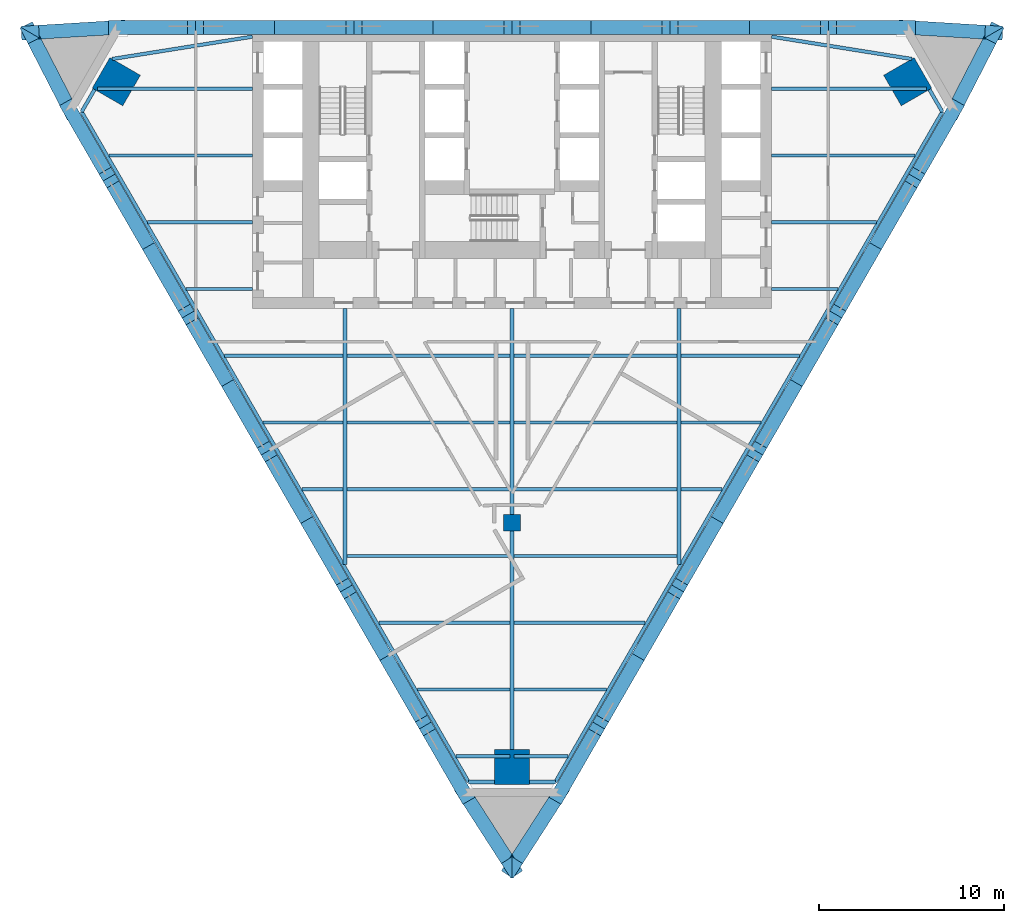
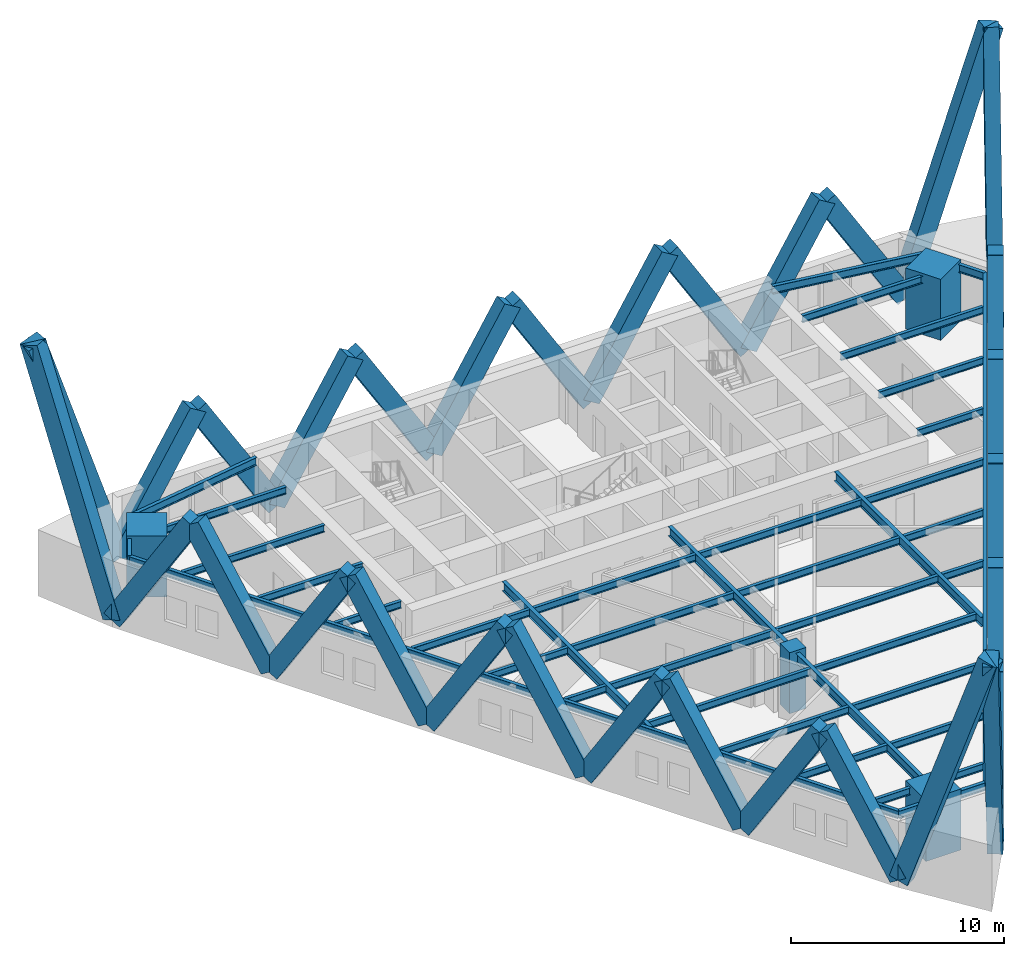
# One storey, part 1 of 7: 40 beams, 36 members, 4 columns.
"""IFC4 building model written with IfcOpenShell, lengths in metres."""

from ifc_helpers import new_model, si_unit, direction, frame, origin, origin_2d, place, context, subcontext, project, spatial, rectangle, i_section, extrude, material, material_profile, profile_set, type_object, element, save


model = new_model("IFC4")

# Units and contexts
model_context = context("Model", 3, precision=1e-05, world=origin(), true_north=direction((0.0, 1.0)))
body_context = subcontext(model_context, "Body", "Model", "MODEL_VIEW")
ifc_project = project(units=[si_unit("LENGTHUNIT", "METRE"), si_unit("AREAUNIT", "SQUARE_METRE"), si_unit("VOLUMEUNIT", "CUBIC_METRE"), si_unit("PLANEANGLEUNIT", "RADIAN"), si_unit("MASSUNIT", "GRAM", prefix="KILO")], contexts=[model_context])

# Site, building, storey
site_placement = place(None, origin())
site = spatial("IfcSite", under=ifc_project, at=site_placement, CompositionType="ELEMENT")
building_placement = place(site_placement, origin())
building = spatial("IfcBuilding", under=site, at=building_placement, Name="Aloe Facet Convention Tower", CompositionType="ELEMENT")
storey_placement = place(building_placement, frame((0.0, 0.0, 81.800048828125)))
storey = spatial("IfcBuildingStorey", under=building, at=storey_placement, Name="L19", CompositionType="ELEMENT", Elevation=81.800048828125)

# Columns
ifc_material_1 = material(Name="Concrete C70/85", Category="concrete")
ifc_material_profile_1 = material_profile(ifc_material_1, rectangle(XDim=0.89990234375, YDim=0.89990234375, at=origin_2d()), Name="SF-GC-Z2")
ifc_profile_set_1 = profile_set([ifc_material_profile_1], Name="Concrete C70/85")
column_type_1 = type_object("IfcColumnType", Name="SF-GC-Z2", PredefinedType="COLUMN", material=ifc_profile_set_1)
column_placement = place(storey_placement, frame((80.0, 108.0, 0.0), z_axis=(0.0, 0.0, 1.0), x_axis=(1.0, 0.0, 0.0)))
element("IfcColumn", 1, at=column_placement, inside=storey, type_object=column_type_1, Name="Gravity column GC-Z2-9D", PredefinedType="COLUMN", context=body_context, shape_type="SweptSolid", body=[
    extrude(rectangle(XDim=0.89990234375, YDim=0.89990234375, at=origin_2d()), origin(), (0.0, 0.0, 1.0), 3.5),
])
ifc_material_2 = material(Name="Concrete C80/95", Category="concrete")
ifc_material_profile_2 = material_profile(ifc_material_2, rectangle(XDim=1.89990234375, YDim=1.89990234375, at=origin_2d()), Name="STW-MC-Z2")
ifc_profile_set_2 = profile_set([ifc_material_profile_2], Name="Concrete C80/95")
column_type_2 = type_object("IfcColumnType", Name="STW-MC-Z2", PredefinedType="COLUMN", material=ifc_profile_set_2)
for number, where, z_axis, x_axis, name in (
    (2, (101.3359375, 131.775146484375, 0.0), (0.0, 0.0, 1.0), (-0.5, 0.866025403784, 0.0), "Mega-column MC-NE-L19"),
    (3, (58.6640625, 131.775146484375, 0.0), (0.0, 0.0, 1.0), (-0.5, -0.866025403784, 0.0), "Mega-column MC-NW-L19"),
    (4, (80.0, 94.8203125, 0.0), (0.0, 0.0, 1.0), (1.0, 0.0, 0.0), "Mega-column MC-S-L19"),
):
    element("IfcColumn", number, at=place(storey_placement, frame(where, z_axis=z_axis, x_axis=x_axis)), inside=storey, type_object=column_type_2, Name=name, PredefinedType="COLUMN", context=body_context, shape_type="SweptSolid", body=[
        extrude(rectangle(XDim=1.89990234375, YDim=1.89990234375, at=origin_2d()), origin(), (0.0, 0.0, 1.0), 3.5),
    ])

# Beams
ifc_material_3 = material(Name="Steel S355", Category="steel")
ifc_material_profile_3 = material_profile(ifc_material_3, i_section(OverallWidth=0.177734375, OverallDepth=0.402587890625, WebThickness=0.0078125, FlangeThickness=0.010986328125, FilletRadius=0.01025390625, at=origin_2d()), Name="UB 406x178x54")
ifc_profile_set_3 = profile_set([ifc_material_profile_3], Name="Steel S355")
beam_type_1 = type_object("IfcBeamType", Name="SF-B-UB406x178x54", PredefinedType="BEAM", material=ifc_profile_set_3)
beam_1_placement = place(storey_placement, frame((57.6376953125, 131.39990234375, 3.148681640625), z_axis=(1.0, 0.0, 0.0), x_axis=(0.0, 1.0, 0.0)))
element("IfcBeam", 5, at=beam_1_placement, inside=storey, type_object=beam_type_1, Name="Floor beam FB-Z2B-013", PredefinedType="BEAM", context=body_context, shape_type="SweptSolid", body=[
    extrude(i_section(OverallWidth=0.177734375, OverallDepth=0.402587890625, WebThickness=0.0078125, FlangeThickness=0.010986328125, FilletRadius=0.01025390625, at=origin_2d()), origin(), (0.0, 0.0, 1.0), 8.3623046875),
])
beam_2_placement = place(storey_placement, frame((58.27294921875, 127.800048828125, 3.148681640625), z_axis=(1.0, 0.0, 0.0), x_axis=(0.0, 1.0, 0.0)))
element("IfcBeam", 6, at=beam_2_placement, inside=storey, type_object=beam_type_1, Name="Floor beam FB-Z2B-014", PredefinedType="BEAM", context=body_context, shape_type="SweptSolid", body=[
    extrude(i_section(OverallWidth=0.177734375, OverallDepth=0.402587890625, WebThickness=0.0078125, FlangeThickness=0.010986328125, FilletRadius=0.01025390625, at=origin_2d()), origin(), (0.0, 0.0, 1.0), 7.72705078125),
])
beam_3_placement = place(storey_placement, frame((60.351318359375, 124.199951171875, 3.148681640625), z_axis=(1.0, 0.0, 0.0), x_axis=(0.0, 1.0, 0.0)))
element("IfcBeam", 7, at=beam_3_placement, inside=storey, type_object=beam_type_1, Name="Floor beam FB-Z2B-015", PredefinedType="BEAM", context=body_context, shape_type="SweptSolid", body=[
    extrude(i_section(OverallWidth=0.177734375, OverallDepth=0.402587890625, WebThickness=0.0078125, FlangeThickness=0.010986328125, FilletRadius=0.01025390625, at=origin_2d()), origin(), (0.0, 0.0, 1.0), 5.648681640625),
])
beam_4_placement = place(storey_placement, frame((62.429931640625, 120.60009765625, 3.148681640625), z_axis=(1.0, 0.0, 0.0), x_axis=(0.0, 1.0, 0.0)))
element("IfcBeam", 8, at=beam_4_placement, inside=storey, type_object=beam_type_1, Name="Floor beam FB-Z2B-016", PredefinedType="BEAM", context=body_context, shape_type="SweptSolid", body=[
    extrude(i_section(OverallWidth=0.177734375, OverallDepth=0.402587890625, WebThickness=0.0078125, FlangeThickness=0.010986328125, FilletRadius=0.01025390625, at=origin_2d()), origin(), (0.0, 0.0, 1.0), 3.570068359375),
])
beam_5_placement = place(storey_placement, frame((64.50830078125, 117.0, 3.148681640625), z_axis=(1.0, 0.0, 0.0), x_axis=(0.0, 1.0, 0.0)))
element("IfcBeam", 9, at=beam_5_placement, inside=storey, type_object=beam_type_1, Name="Floor beam FB-Z2B-017", PredefinedType="BEAM", context=body_context, shape_type="SweptSolid", body=[
    extrude(i_section(OverallWidth=0.177734375, OverallDepth=0.402587890625, WebThickness=0.0078125, FlangeThickness=0.010986328125, FilletRadius=0.01025390625, at=origin_2d()), origin(), (0.0, 0.0, 1.0), 6.38623046875),
])
beam_6_placement = place(storey_placement, frame((66.5869140625, 113.39990234375, 3.148681640625), z_axis=(1.0, 0.0, 0.0), x_axis=(0.0, 1.0, 0.0)))
element("IfcBeam", 10, at=beam_6_placement, inside=storey, type_object=beam_type_1, Name="Floor beam FB-Z2B-018", PredefinedType="BEAM", context=body_context, shape_type="SweptSolid", body=[
    extrude(i_section(OverallWidth=0.177734375, OverallDepth=0.402587890625, WebThickness=0.0078125, FlangeThickness=0.010986328125, FilletRadius=0.01025390625, at=origin_2d()), origin(), (0.0, 0.0, 1.0), 4.3076171875),
])
beam_7_placement = place(storey_placement, frame((68.665283203125, 109.800048828125, 3.148681640625), z_axis=(1.0, 0.0, 0.0), x_axis=(0.0, 1.0, 0.0)))
element("IfcBeam", 11, at=beam_7_placement, inside=storey, type_object=beam_type_1, Name="Floor beam FB-Z2B-019", PredefinedType="BEAM", context=body_context, shape_type="SweptSolid", body=[
    extrude(i_section(OverallWidth=0.177734375, OverallDepth=0.402587890625, WebThickness=0.0078125, FlangeThickness=0.010986328125, FilletRadius=0.01025390625, at=origin_2d()), origin(), (0.0, 0.0, 1.0), 2.229248046875),
])
for number, where, z_axis, x_axis, name in (
    (12, (71.10546875, 106.199951171875, 3.148681640625), (1.0, 0.0, 0.0), (0.0, 1.0, 0.0), "Floor beam FB-Z2B-020"),
    (13, (71.10546875, 109.800048828125, 3.148681640625), (1.0, 0.0, 0.0), (0.0, 1.0, 0.0), "Floor beam FB-Z2B-021"),
    (14, (71.10546875, 113.39990234375, 3.148681640625), (1.0, 0.0, 0.0), (0.0, 1.0, 0.0), "Floor beam FB-Z2B-022"),
    (15, (71.10546875, 117.0, 3.148681640625), (1.0, 0.0, 0.0), (0.0, 1.0, 0.0), "Floor beam FB-Z2B-023"),
):
    element("IfcBeam", number, at=place(storey_placement, frame(where, z_axis=z_axis, x_axis=x_axis)), inside=storey, type_object=beam_type_1, Name=name, PredefinedType="BEAM", context=body_context, shape_type="SweptSolid", body=[
        extrude(i_section(OverallWidth=0.177734375, OverallDepth=0.402587890625, WebThickness=0.0078125, FlangeThickness=0.010986328125, FilletRadius=0.01025390625, at=origin_2d()), origin(), (0.0, 0.0, 1.0), 8.7890625),
    ])
beam_8_placement = place(storey_placement, frame((72.822265625, 102.60009765625, 3.148681640625), z_axis=(1.0, 0.0, 0.0), x_axis=(0.0, 1.0, 0.0)))
element("IfcBeam", 16, at=beam_8_placement, inside=storey, type_object=beam_type_1, Name="Floor beam FB-Z2B-024", PredefinedType="BEAM", context=body_context, shape_type="SweptSolid", body=[
    extrude(i_section(OverallWidth=0.177734375, OverallDepth=0.402587890625, WebThickness=0.0078125, FlangeThickness=0.010986328125, FilletRadius=0.01025390625, at=origin_2d()), origin(), (0.0, 0.0, 1.0), 7.072265625),
])
beam_9_placement = place(storey_placement, frame((74.900634765625, 99.0, 3.148681640625), z_axis=(1.0, 0.0, 0.0), x_axis=(0.0, 1.0, 0.0)))
element("IfcBeam", 17, at=beam_9_placement, inside=storey, type_object=beam_type_1, Name="Floor beam FB-Z2B-025", PredefinedType="BEAM", context=body_context, shape_type="SweptSolid", body=[
    extrude(i_section(OverallWidth=0.177734375, OverallDepth=0.402587890625, WebThickness=0.0078125, FlangeThickness=0.010986328125, FilletRadius=0.01025390625, at=origin_2d()), origin(), (0.0, 0.0, 1.0), 4.993896484375),
])
for number, where, z_axis, x_axis, name in (
    (18, (76.97900390625, 95.39990234375, 3.148681640625), (1.0, 0.0, 0.0), (0.0, 1.0, 0.0), "Floor beam FB-Z2B-026"),
    (19, (80.10546875, 95.39990234375, 3.148681640625), (1.0, 0.0, 0.0), (0.0, 1.0, 0.0), "Floor beam FB-Z2B-027"),
):
    element("IfcBeam", number, at=place(storey_placement, frame(where, z_axis=z_axis, x_axis=x_axis)), inside=storey, type_object=beam_type_1, Name=name, PredefinedType="BEAM", context=body_context, shape_type="SweptSolid", body=[
        extrude(i_section(OverallWidth=0.177734375, OverallDepth=0.402587890625, WebThickness=0.0078125, FlangeThickness=0.010986328125, FilletRadius=0.01025390625, at=origin_2d()), origin(), (0.0, 0.0, 1.0), 2.91552734375),
    ])
beam_10_placement = place(storey_placement, frame((80.10546875, 99.0, 3.148681640625), z_axis=(1.0, 0.0, 0.0), x_axis=(0.0, 1.0, 0.0)))
element("IfcBeam", 20, at=beam_10_placement, inside=storey, type_object=beam_type_1, Name="Floor beam FB-Z2B-028", PredefinedType="BEAM", context=body_context, shape_type="SweptSolid", body=[
    extrude(i_section(OverallWidth=0.177734375, OverallDepth=0.402587890625, WebThickness=0.0078125, FlangeThickness=0.010986328125, FilletRadius=0.01025390625, at=origin_2d()), origin(), (0.0, 0.0, 1.0), 4.993896484375),
])
beam_11_placement = place(storey_placement, frame((80.10546875, 102.60009765625, 3.148681640625), z_axis=(1.0, 0.0, 0.0), x_axis=(0.0, 1.0, 0.0)))
element("IfcBeam", 21, at=beam_11_placement, inside=storey, type_object=beam_type_1, Name="Floor beam FB-Z2B-029", PredefinedType="BEAM", context=body_context, shape_type="SweptSolid", body=[
    extrude(i_section(OverallWidth=0.177734375, OverallDepth=0.402587890625, WebThickness=0.0078125, FlangeThickness=0.010986328125, FilletRadius=0.01025390625, at=origin_2d()), origin(), (0.0, 0.0, 1.0), 7.072265625),
])
for number, where, z_axis, x_axis, name in (
    (22, (80.10546875, 106.199951171875, 3.148681640625), (1.0, 0.0, 0.0), (0.0, 1.0, 0.0), "Floor beam FB-Z2B-030"),
    (23, (80.10546875, 109.800048828125, 3.148681640625), (1.0, 0.0, 0.0), (0.0, 1.0, 0.0), "Floor beam FB-Z2B-031"),
    (24, (80.10546875, 113.39990234375, 3.148681640625), (1.0, 0.0, 0.0), (0.0, 1.0, 0.0), "Floor beam FB-Z2B-032"),
    (25, (80.10546875, 117.0, 3.148681640625), (1.0, 0.0, 0.0), (0.0, 1.0, 0.0), "Floor beam FB-Z2B-033"),
):
    element("IfcBeam", number, at=place(storey_placement, frame(where, z_axis=z_axis, x_axis=x_axis)), inside=storey, type_object=beam_type_1, Name=name, PredefinedType="BEAM", context=body_context, shape_type="SweptSolid", body=[
        extrude(i_section(OverallWidth=0.177734375, OverallDepth=0.402587890625, WebThickness=0.0078125, FlangeThickness=0.010986328125, FilletRadius=0.01025390625, at=origin_2d()), origin(), (0.0, 0.0, 1.0), 8.7890625),
    ])
beam_12_placement = place(storey_placement, frame((89.10546875, 109.800048828125, 3.148681640625), z_axis=(1.0, 0.0, 0.0), x_axis=(0.0, 1.0, 0.0)))
element("IfcBeam", 26, at=beam_12_placement, inside=storey, type_object=beam_type_1, Name="Floor beam FB-Z2B-034", PredefinedType="BEAM", context=body_context, shape_type="SweptSolid", body=[
    extrude(i_section(OverallWidth=0.177734375, OverallDepth=0.402587890625, WebThickness=0.0078125, FlangeThickness=0.010986328125, FilletRadius=0.01025390625, at=origin_2d()), origin(), (0.0, 0.0, 1.0), 2.229248046875),
])
beam_13_placement = place(storey_placement, frame((89.10546875, 113.39990234375, 3.148681640625), z_axis=(1.0, 0.0, 0.0), x_axis=(0.0, 1.0, 0.0)))
element("IfcBeam", 27, at=beam_13_placement, inside=storey, type_object=beam_type_1, Name="Floor beam FB-Z2B-035", PredefinedType="BEAM", context=body_context, shape_type="SweptSolid", body=[
    extrude(i_section(OverallWidth=0.177734375, OverallDepth=0.402587890625, WebThickness=0.0078125, FlangeThickness=0.010986328125, FilletRadius=0.01025390625, at=origin_2d()), origin(), (0.0, 0.0, 1.0), 4.3076171875),
])
beam_14_placement = place(storey_placement, frame((89.10546875, 117.0, 3.148681640625), z_axis=(1.0, 0.0, 0.0), x_axis=(0.0, 1.0, 0.0)))
element("IfcBeam", 28, at=beam_14_placement, inside=storey, type_object=beam_type_1, Name="Floor beam FB-Z2B-036", PredefinedType="BEAM", context=body_context, shape_type="SweptSolid", body=[
    extrude(i_section(OverallWidth=0.177734375, OverallDepth=0.402587890625, WebThickness=0.0078125, FlangeThickness=0.010986328125, FilletRadius=0.01025390625, at=origin_2d()), origin(), (0.0, 0.0, 1.0), 6.38623046875),
])
beam_15_placement = place(storey_placement, frame((94.0, 120.60009765625, 3.148681640625), z_axis=(1.0, 0.0, 0.0), x_axis=(0.0, 1.0, 0.0)))
element("IfcBeam", 29, at=beam_15_placement, inside=storey, type_object=beam_type_1, Name="Floor beam FB-Z2B-037", PredefinedType="BEAM", context=body_context, shape_type="SweptSolid", body=[
    extrude(i_section(OverallWidth=0.177734375, OverallDepth=0.402587890625, WebThickness=0.0078125, FlangeThickness=0.010986328125, FilletRadius=0.01025390625, at=origin_2d()), origin(), (0.0, 0.0, 1.0), 3.570068359375),
])
beam_16_placement = place(storey_placement, frame((94.0, 124.199951171875, 3.148681640625), z_axis=(1.0, 0.0, 0.0), x_axis=(0.0, 1.0, 0.0)))
element("IfcBeam", 30, at=beam_16_placement, inside=storey, type_object=beam_type_1, Name="Floor beam FB-Z2B-038", PredefinedType="BEAM", context=body_context, shape_type="SweptSolid", body=[
    extrude(i_section(OverallWidth=0.177734375, OverallDepth=0.402587890625, WebThickness=0.0078125, FlangeThickness=0.010986328125, FilletRadius=0.01025390625, at=origin_2d()), origin(), (0.0, 0.0, 1.0), 5.648681640625),
])
beam_17_placement = place(storey_placement, frame((94.0, 127.800048828125, 3.148681640625), z_axis=(1.0, 0.0, 0.0), x_axis=(0.0, 1.0, 0.0)))
element("IfcBeam", 31, at=beam_17_placement, inside=storey, type_object=beam_type_1, Name="Floor beam FB-Z2B-039", PredefinedType="BEAM", context=body_context, shape_type="SweptSolid", body=[
    extrude(i_section(OverallWidth=0.177734375, OverallDepth=0.402587890625, WebThickness=0.0078125, FlangeThickness=0.010986328125, FilletRadius=0.01025390625, at=origin_2d()), origin(), (0.0, 0.0, 1.0), 7.72705078125),
])
beam_18_placement = place(storey_placement, frame((94.0, 131.39990234375, 3.148681640625), z_axis=(1.0, 0.0, 0.0), x_axis=(0.0, 1.0, 0.0)))
element("IfcBeam", 32, at=beam_18_placement, inside=storey, type_object=beam_type_1, Name="Floor beam FB-Z2B-040", PredefinedType="BEAM", context=body_context, shape_type="SweptSolid", body=[
    extrude(i_section(OverallWidth=0.177734375, OverallDepth=0.402587890625, WebThickness=0.0078125, FlangeThickness=0.010986328125, FilletRadius=0.01025390625, at=origin_2d()), origin(), (0.0, 0.0, 1.0), 8.3623046875),
])
ifc_material_4 = material(Name="Steel S355", Category="steel")
ifc_material_profile_4 = material_profile(ifc_material_4, i_section(OverallWidth=0.18994140625, OverallDepth=0.453369140625, WebThickness=0.008544921875, FlangeThickness=0.0126953125, FilletRadius=0.01025390625, at=origin_2d()), Name="UB 457x191x67")
ifc_profile_set_4 = profile_set([ifc_material_profile_4], Name="Steel S355")
beam_type_2 = type_object("IfcBeamType", Name="SF-B-UB457x191x67", PredefinedType="BEAM", material=ifc_profile_set_4)
beam_19_placement = place(storey_placement, frame((56.79638671875, 130.150390625, 3.123291015625), z_axis=(0.500046568876, 0.865998515562, 0.0), x_axis=(-0.865998515562, 0.500046568876, 0.0)))
element("IfcBeam", 33, at=beam_19_placement, inside=storey, type_object=beam_type_2, Name="Floor beam FB-Z2B-001", PredefinedType="BEAM", context=body_context, shape_type="SweptSolid", body=[
    extrude(i_section(OverallWidth=0.18994140625, OverallDepth=0.453369140625, WebThickness=0.008544921875, FlangeThickness=0.0126953125, FilletRadius=0.01025390625, at=origin_2d()), origin(), (0.0, 0.0, 1.0), 1.390869140625),
])
beam_20_placement = place(storey_placement, frame((58.44189453125, 133.00048828125, 3.123291015625), z_axis=(0.987536396348, 0.15739080624, 0.0), x_axis=(-0.15739080624, 0.987536396348, 0.0)))
element("IfcBeam", 34, at=beam_20_placement, inside=storey, type_object=beam_type_2, Name="Floor beam FB-Z2B-002", PredefinedType="BEAM", context=body_context, shape_type="SweptSolid", body=[
    extrude(i_section(OverallWidth=0.18994140625, OverallDepth=0.453369140625, WebThickness=0.008544921875, FlangeThickness=0.0126953125, FilletRadius=0.01025390625, at=origin_2d()), origin(), (0.0, 0.0, 1.0), 7.653564453125),
])
beam_21_placement = place(storey_placement, frame((77.658935546875, 94.01513671875, 3.123291015625), z_axis=(-0.499997308433, 0.866026957756, 0.0), x_axis=(-0.866026957756, -0.499997308433, 0.0)))
element("IfcBeam", 35, at=beam_21_placement, inside=storey, type_object=beam_type_2, Name="Floor beam FB-Z2B-003", PredefinedType="BEAM", context=body_context, shape_type="SweptSolid", body=[
    extrude(i_section(OverallWidth=0.18994140625, OverallDepth=0.453369140625, WebThickness=0.008544921875, FlangeThickness=0.0126953125, FilletRadius=0.01025390625, at=origin_2d()), origin(), (0.0, 0.0, 1.0), 41.725341796875),
])
for number, where, z_axis, x_axis, name in (
    (36, (79.050048828125, 94.01513671875, 3.123291015625), (-1.0, 0.0, 0.0), (0.0, -1.0, 0.0), "Floor beam FB-Z2B-004"),
    (37, (82.341064453125, 94.01513671875, 3.123291015625), (-1.0, 0.0, 0.0), (0.0, -1.0, 0.0), "Floor beam FB-Z2B-005"),
):
    element("IfcBeam", number, at=place(storey_placement, frame(where, z_axis=z_axis, x_axis=x_axis)), inside=storey, type_object=beam_type_2, Name=name, PredefinedType="BEAM", context=body_context, shape_type="SweptSolid", body=[
        extrude(i_section(OverallWidth=0.18994140625, OverallDepth=0.453369140625, WebThickness=0.008544921875, FlangeThickness=0.0126953125, FilletRadius=0.01025390625, at=origin_2d()), origin(), (0.0, 0.0, 1.0), 1.39111328125),
    ])
beam_22_placement = place(storey_placement, frame((101.55810546875, 133.00048828125, 3.123291015625), z_axis=(-0.987536396348, 0.15739080624, 0.0), x_axis=(-0.15739080624, -0.987536396348, 0.0)))
element("IfcBeam", 38, at=beam_22_placement, inside=storey, type_object=beam_type_2, Name="Floor beam FB-Z2B-006", PredefinedType="BEAM", context=body_context, shape_type="SweptSolid", body=[
    extrude(i_section(OverallWidth=0.18994140625, OverallDepth=0.453369140625, WebThickness=0.008544921875, FlangeThickness=0.0126953125, FilletRadius=0.01025390625, at=origin_2d()), origin(), (0.0, 0.0, 1.0), 7.653564453125),
])
beam_23_placement = place(storey_placement, frame((102.508056640625, 131.35498046875, 3.123291015625), z_axis=(0.500046568876, -0.865998515562, 0.0), x_axis=(0.865998515562, 0.500046568876, 0.0)))
element("IfcBeam", 39, at=beam_23_placement, inside=storey, type_object=beam_type_2, Name="Floor beam FB-Z2B-007", PredefinedType="BEAM", context=body_context, shape_type="SweptSolid", body=[
    extrude(i_section(OverallWidth=0.18994140625, OverallDepth=0.453369140625, WebThickness=0.008544921875, FlangeThickness=0.0126953125, FilletRadius=0.01025390625, at=origin_2d()), origin(), (0.0, 0.0, 1.0), 1.390869140625),
])
beam_24_placement = place(storey_placement, frame((103.20361328125, 130.150390625, 3.123291015625), z_axis=(-0.499997308433, -0.866026957756, 0.0), x_axis=(0.866026957756, -0.499997308433, 0.0)))
element("IfcBeam", 40, at=beam_24_placement, inside=storey, type_object=beam_type_2, Name="Floor beam FB-Z2B-008", PredefinedType="BEAM", context=body_context, shape_type="SweptSolid", body=[
    extrude(i_section(OverallWidth=0.18994140625, OverallDepth=0.453369140625, WebThickness=0.008544921875, FlangeThickness=0.0126953125, FilletRadius=0.01025390625, at=origin_2d()), origin(), (0.0, 0.0, 1.0), 41.725341796875),
])
ifc_material_5 = material(Name="Steel S355", Category="steel")
ifc_material_profile_5 = material_profile(ifc_material_5, i_section(OverallWidth=0.210693359375, OverallDepth=0.53955078125, WebThickness=0.01171875, FlangeThickness=0.018798828125, FilletRadius=0.0126953125, at=origin_2d()), Name="UB 533x210x109")
ifc_profile_set_5 = profile_set([ifc_material_profile_5], Name="Steel S355")
beam_type_3 = type_object("IfcBeamType", Name="SF-B-UB533x210x109", PredefinedType="BEAM", material=ifc_profile_set_5)
beam_25_placement = place(storey_placement, frame((71.0, 119.550048828125, 3.080078125), z_axis=(0.0, -1.0, 0.0), x_axis=(1.0, 0.0, 0.0)))
element("IfcBeam", 41, at=beam_25_placement, inside=storey, type_object=beam_type_3, Name="Floor beam FB-Z2B-009", PredefinedType="BEAM", context=body_context, shape_type="SweptSolid", body=[
    extrude(i_section(OverallWidth=0.210693359375, OverallDepth=0.53955078125, WebThickness=0.01171875, FlangeThickness=0.018798828125, FilletRadius=0.0126953125, at=origin_2d()), origin(), (0.0, 0.0, 1.0), 13.80126953125),
])
beam_26_placement = place(storey_placement, frame((80.0, 107.550048828125, 3.080078125), z_axis=(0.0, -1.0, 0.0), x_axis=(1.0, 0.0, 0.0)))
element("IfcBeam", 42, at=beam_26_placement, inside=storey, type_object=beam_type_3, Name="Floor beam FB-Z2B-010", PredefinedType="BEAM", context=body_context, shape_type="SweptSolid", body=[
    extrude(i_section(OverallWidth=0.210693359375, OverallDepth=0.53955078125, WebThickness=0.01171875, FlangeThickness=0.018798828125, FilletRadius=0.0126953125, at=origin_2d()), origin(), (0.0, 0.0, 1.0), 13.429931640625),
])
beam_27_placement = place(storey_placement, frame((80.0, 119.550048828125, 3.080078125), z_axis=(0.0, -1.0, 0.0), x_axis=(1.0, 0.0, 0.0)))
element("IfcBeam", 43, at=beam_27_placement, inside=storey, type_object=beam_type_3, Name="Floor beam FB-Z2B-011", PredefinedType="BEAM", context=body_context, shape_type="SweptSolid", body=[
    extrude(i_section(OverallWidth=0.210693359375, OverallDepth=0.53955078125, WebThickness=0.01171875, FlangeThickness=0.018798828125, FilletRadius=0.0126953125, at=origin_2d()), origin(), (0.0, 0.0, 1.0), 11.10009765625),
])
beam_28_placement = place(storey_placement, frame((89.0, 119.550048828125, 3.080078125), z_axis=(0.0, -1.0, 0.0), x_axis=(1.0, 0.0, 0.0)))
element("IfcBeam", 44, at=beam_28_placement, inside=storey, type_object=beam_type_3, Name="Floor beam FB-Z2B-012", PredefinedType="BEAM", context=body_context, shape_type="SweptSolid", body=[
    extrude(i_section(OverallWidth=0.210693359375, OverallDepth=0.53955078125, WebThickness=0.01171875, FlangeThickness=0.018798828125, FilletRadius=0.0126953125, at=origin_2d()), origin(), (0.0, 0.0, 1.0), 13.80126953125),
])

# Members
ifc_material_6 = material(Name="Concrete C60/75, bronze oxide finish", Category="concrete")
ifc_material_profile_6 = material_profile(ifc_material_6, rectangle(XDim=0.75, YDim=1.0, at=origin_2d()), Name="STW-LM")
ifc_profile_set_6 = profile_set([ifc_material_profile_6], Name="Concrete C60/75, bronze oxide finish")
member_type = type_object("IfcMemberType", Name="STW-LM", PredefinedType="BRACE", material=ifc_profile_set_6)
for number, where, z_axis, x_axis, name in (
    (45, (101.321533203125, 134.699951171875, 0.0), (-0.520261568685, 0.0, 0.854006967272), (0.0, -1.0, 0.0), "Lattice member LM-Z2-F1-R0-01"),
    (46, (92.79296875, 134.699951171875, 0.0), (0.520239844858, 0.0, 0.854020201062), (0.0, 1.0, 0.0), "Lattice member LM-Z2-F1-R0-02"),
    (47, (92.79296875, 134.699951171875, 0.0), (-0.520261568685, 0.0, 0.854006967272), (0.0, -1.0, 0.0), "Lattice member LM-Z2-F1-R0-03"),
    (48, (84.264404296875, 134.699951171875, 0.0), (0.520239844858, 0.0, 0.854020201062), (0.0, 1.0, 0.0), "Lattice member LM-Z2-F1-R0-04"),
    (49, (84.264404296875, 134.699951171875, 0.0), (-0.520261568685, 0.0, 0.854006967272), (0.0, -1.0, 0.0), "Lattice member LM-Z2-F1-R0-05"),
    (50, (75.735595703125, 134.699951171875, 0.0), (0.520261568685, 0.0, 0.854006967272), (0.0, 1.0, 0.0), "Lattice member LM-Z2-F1-R0-06"),
    (51, (75.735595703125, 134.699951171875, 0.0), (-0.520239844858, 0.0, 0.854020201062), (0.0, -1.0, 0.0), "Lattice member LM-Z2-F1-R0-07"),
    (52, (67.20703125, 134.699951171875, 0.0), (0.520261568685, 0.0, 0.854006967272), (0.0, 1.0, 0.0), "Lattice member LM-Z2-F1-R0-08"),
    (53, (67.20703125, 134.699951171875, 0.0), (-0.520239844858, 0.0, 0.854020201062), (0.0, -1.0, 0.0), "Lattice member LM-Z2-F1-R0-09"),
    (54, (58.678466796875, 134.699951171875, 0.0), (0.520261568685, 0.0, 0.854006967272), (0.0, 1.0, 0.0), "Lattice member LM-Z2-F1-R0-10"),
):
    element("IfcMember", number, at=place(storey_placement, frame(where, z_axis=z_axis, x_axis=x_axis)), inside=storey, type_object=member_type, Name=name, PredefinedType="BRACE", context=body_context, shape_type="SweptSolid", body=[
        extrude(rectangle(XDim=0.75, YDim=1.0, at=origin_2d()), origin(), (0.0, 0.0, 1.0), 8.196533203125),
    ])
member_1_placement = place(storey_placement, frame((56.13818359375, 130.30029296875, 0.0), z_axis=(0.260144200438, -0.450561177013, 0.854002119873), x_axis=(0.866014930446, 0.500018139916, 0.0)))
element("IfcMember", 55, at=member_1_placement, inside=storey, type_object=member_type, Name="Lattice member LM-Z2-F2-R0-01", PredefinedType="BRACE", context=body_context, shape_type="SweptSolid", body=[
    extrude(rectangle(XDim=0.75, YDim=1.0, at=origin_2d()), origin(), (0.0, 0.0, 1.0), 8.19677734375),
])
for number, where, z_axis, x_axis, name in (
    (56, (60.402587890625, 122.914306640625, 0.0), (-0.26011992139, 0.45054092877, 0.854020197653), (-0.866025408043, -0.499999992624, 0.0), "Lattice member LM-Z2-F2-R0-02"),
    (57, (60.402587890625, 122.914306640625, 0.0), (0.260116430601, -0.450564668007, 0.854008736768), (0.866039720501, 0.4999752019, 0.0), "Lattice member LM-Z2-F2-R0-03"),
    (58, (64.6669921875, 115.5283203125, 0.0), (-0.260147691546, 0.450537437867, 0.854013580491), (-0.866000615939, -0.500042931351, 0.0), "Lattice member LM-Z2-F2-R0-04"),
    (59, (64.6669921875, 115.5283203125, 0.0), (0.260116430601, -0.450564668007, 0.854008736768), (0.866039720501, 0.4999752019, 0.0), "Lattice member LM-Z2-F2-R0-05"),
    (60, (68.93115234375, 108.142333984375, 0.0), (-0.26011992139, 0.45054092877, 0.854020197653), (-0.866025408043, -0.499999992624, 0.0), "Lattice member LM-Z2-F2-R0-06"),
    (61, (68.93115234375, 108.142333984375, 0.0), (0.260116430601, -0.450564668007, 0.854008736768), (0.866039720501, 0.4999752019, 0.0), "Lattice member LM-Z2-F2-R0-07"),
    (62, (73.195556640625, 100.75634765625, 0.0), (-0.260147691546, 0.450537437867, 0.854013580491), (-0.866000615939, -0.500042931351, 0.0), "Lattice member LM-Z2-F2-R0-08"),
    (63, (73.195556640625, 100.75634765625, 0.0), (0.260116430601, -0.450564668007, 0.854008736768), (0.866039720501, 0.4999752019, 0.0), "Lattice member LM-Z2-F2-R0-09"),
    (64, (77.459716796875, 93.370361328125, 0.0), (-0.26011992139, 0.45054092877, 0.854020197653), (-0.866025408043, -0.499999992624, 0.0), "Lattice member LM-Z2-F2-R0-10"),
    (65, (82.540283203125, 93.370361328125, 0.0), (0.26011992139, 0.45054092877, 0.854020197653), (-0.866025408043, 0.499999992624, 0.0), "Lattice member LM-Z2-F3-R0-01"),
    (66, (86.804443359375, 100.75634765625, 0.0), (-0.260116430601, -0.450564668007, 0.854008736768), (0.866039720501, -0.4999752019, 0.0), "Lattice member LM-Z2-F3-R0-02"),
    (67, (86.804443359375, 100.75634765625, 0.0), (0.260147691546, 0.450537437867, 0.854013580491), (-0.866000615939, 0.500042931351, 0.0), "Lattice member LM-Z2-F3-R0-03"),
    (68, (91.06884765625, 108.142333984375, 0.0), (-0.260116430601, -0.450564668007, 0.854008736768), (0.866039720501, -0.4999752019, 0.0), "Lattice member LM-Z2-F3-R0-04"),
    (69, (91.06884765625, 108.142333984375, 0.0), (0.26011992139, 0.45054092877, 0.854020197653), (-0.866025408043, 0.499999992624, 0.0), "Lattice member LM-Z2-F3-R0-05"),
    (70, (95.3330078125, 115.5283203125, 0.0), (-0.260116430601, -0.450564668007, 0.854008736768), (0.866039720501, -0.4999752019, 0.0), "Lattice member LM-Z2-F3-R0-06"),
    (71, (95.3330078125, 115.5283203125, 0.0), (0.260147691546, 0.450537437867, 0.854013580491), (-0.866000615939, 0.500042931351, 0.0), "Lattice member LM-Z2-F3-R0-07"),
    (72, (99.597412109375, 122.914306640625, 0.0), (-0.260116430601, -0.450564668007, 0.854008736768), (0.866039720501, -0.4999752019, 0.0), "Lattice member LM-Z2-F3-R0-08"),
    (73, (99.597412109375, 122.914306640625, 0.0), (0.26011992139, 0.45054092877, 0.854020197653), (-0.866025408043, 0.499999992624, 0.0), "Lattice member LM-Z2-F3-R0-09"),
):
    element("IfcMember", number, at=place(storey_placement, frame(where, z_axis=z_axis, x_axis=x_axis)), inside=storey, type_object=member_type, Name=name, PredefinedType="BRACE", context=body_context, shape_type="SweptSolid", body=[
        extrude(rectangle(XDim=0.75, YDim=1.0, at=origin_2d()), origin(), (0.0, 0.0, 1.0), 8.196533203125),
    ])
member_2_placement = place(storey_placement, frame((103.86181640625, 130.30029296875, 0.0), z_axis=(-0.260144200438, -0.450561177013, 0.854002119873), x_axis=(0.866014930446, -0.500018139916, 0.0)))
element("IfcMember", 74, at=member_2_placement, inside=storey, type_object=member_type, Name="Lattice member LM-Z2-F3-R0-10", PredefinedType="BRACE", context=body_context, shape_type="SweptSolid", body=[
    extrude(rectangle(XDim=0.75, YDim=1.0, at=origin_2d()), origin(), (0.0, 0.0, 1.0), 8.19677734375),
])
member_3_placement = place(storey_placement, frame((103.86181640625, 130.30029296875, 0.0), z_axis=(0.143550197033, 0.279169535429, 0.949451268586), x_axis=(-0.889317220006, 0.457290807037, 0.0)))
element("IfcMember", 75, at=member_3_placement, inside=storey, type_object=member_type, Name="Lattice member LM-Z2-F6-R0-01", PredefinedType="BRACE", context=body_context, shape_type="SweptSolid", body=[
    extrude(rectangle(XDim=0.75, YDim=1.0, at=origin_2d()), origin(), (0.0, 0.0, 1.0), 14.745361328125),
])
for number, where, z_axis, x_axis, name in (
    (76, (101.321533203125, 134.699951171875, 0.0), (0.315578841271, -0.019191164135, 0.948705272548), (0.060700445207, 0.998156027859, 0.0), "Lattice member LM-Z2-F6-R0-03"),
    (77, (58.678466796875, 134.699951171875, 0.0), (-0.315578841271, -0.019191164135, 0.948705272548), (0.060700445207, -0.998156027859, 0.0), "Lattice member LM-Z2-F4-R0-01"),
):
    element("IfcMember", number, at=place(storey_placement, frame(where, z_axis=z_axis, x_axis=x_axis)), inside=storey, type_object=member_type, Name=name, PredefinedType="BRACE", context=body_context, shape_type="SweptSolid", body=[
        extrude(rectangle(XDim=0.75, YDim=1.0, at=origin_2d()), origin(), (0.0, 0.0, 1.0), 14.7568359375),
    ])
member_4_placement = place(storey_placement, frame((56.13818359375, 130.30029296875, 0.0), z_axis=(-0.143550197033, 0.279169535429, 0.949451268586), x_axis=(-0.889317220006, -0.457290807037, 0.0)))
element("IfcMember", 78, at=member_4_placement, inside=storey, type_object=member_type, Name="Lattice member LM-Z2-F4-R0-03", PredefinedType="BRACE", context=body_context, shape_type="SweptSolid", body=[
    extrude(rectangle(XDim=0.75, YDim=1.0, at=origin_2d()), origin(), (0.0, 0.0, 1.0), 14.745361328125),
])
for number, where, z_axis, x_axis, name in (
    (79, (77.459716796875, 93.370361328125, 0.0), (0.172028689155, -0.26747526508, 0.948083916475), (0.84106359459, 0.540936253042, 0.0), "Lattice member LM-Z2-F5-R0-01"),
    (80, (82.540283203125, 93.370361328125, 0.0), (-0.172028689155, -0.26747526508, 0.948083916475), (0.84106359459, -0.540936253042, 0.0), "Lattice member LM-Z2-F5-R0-03"),
):
    element("IfcMember", number, at=place(storey_placement, frame(where, z_axis=z_axis, x_axis=x_axis)), inside=storey, type_object=member_type, Name=name, PredefinedType="BRACE", context=body_context, shape_type="SweptSolid", body=[
        extrude(rectangle(XDim=0.75, YDim=1.0, at=origin_2d()), origin(), (0.0, 0.0, 1.0), 14.7666015625),
    ])

save(model, "model.ifc")
